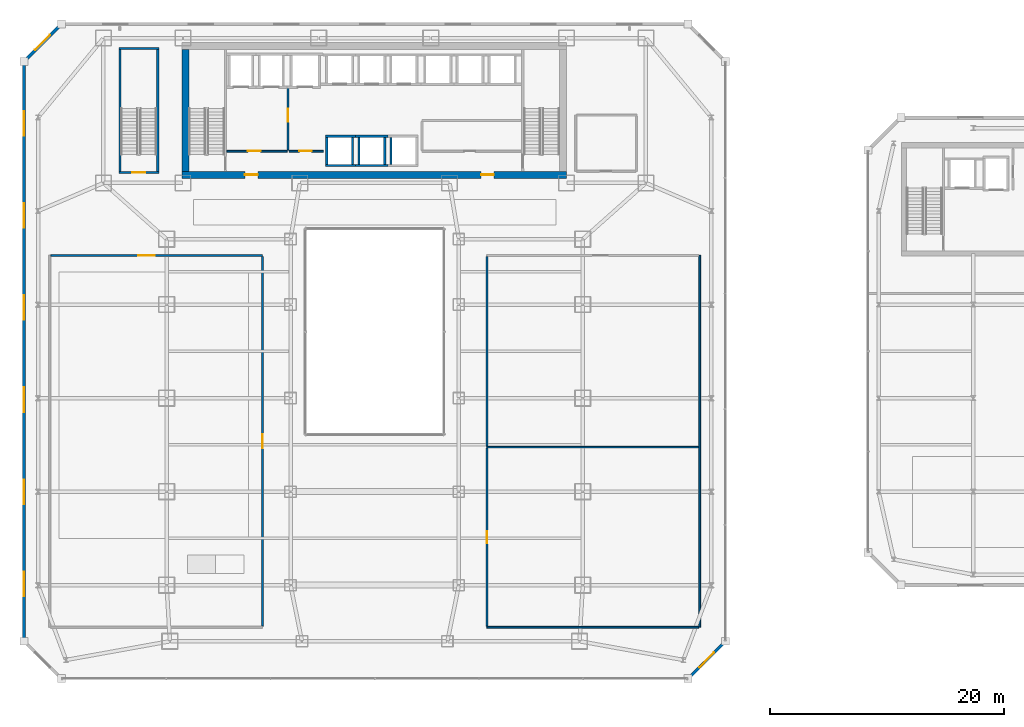
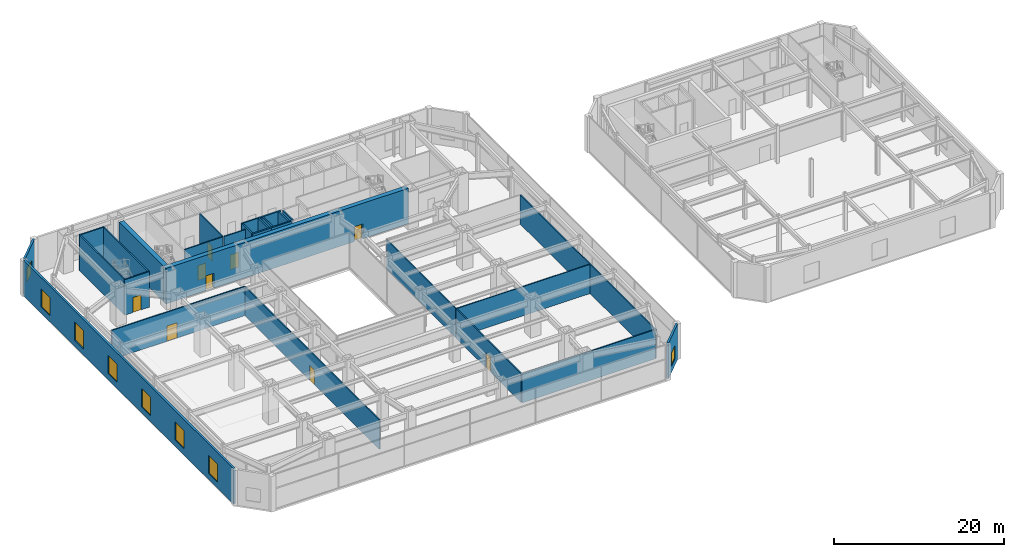
# One storey, part 39 of 51: 28 walls, 9 doors, 8 windows, 17 openings.
"""IFC4 building model written with IfcOpenShell, lengths in metres."""

import ifcopenshell
import ifcopenshell.guid

model = None  # the IFC model being written
_history = None  # IfcOwnerHistory: only IFC2X3 demands one
_inside = {}  # id of a spatial element -> (the spatial element, [elements in it])
_under = {}  # id of a project, library or spatial element -> (it, [spatial elements below it])
_declared = {}  # id of a project -> (the project, [libraries it declares])
_typed = {}  # id of a type object -> (the type object, [elements of that type])
_made_of = {}  # id of a material, layer set ... -> (it, [elements and type objects made of it])


def new_model(schema):
    """Start an empty IFC model of exactly this schema.

    Asked for "IFC4X3", IfcOpenShell would pick the latest addendum, in which some entities
    have other attributes; the version numbers below select the first issue.
    IFC2X3 requires an IfcOwnerHistory on every rooted entity: one is made here for all.
    """
    global model, _history
    if schema == "IFC4X3":
        model = ifcopenshell.file(schema_version=(4, 3, 0, 0))
    else:
        model = ifcopenshell.file(schema=schema)
    _inside.clear()
    _under.clear()
    _declared.clear()
    _typed.clear()
    _made_of.clear()
    _history = None
    if model.schema == "IFC2X3":
        org = make("IfcOrganization", Name="unknown")
        user = make(
            "IfcPersonAndOrganization",
            ThePerson=make("IfcPerson", FamilyName="unknown"),
            TheOrganization=org,
        )
        app = make(
            "IfcApplication",
            ApplicationDeveloper=org,
            Version="unknown",
            ApplicationFullName="unknown",
            ApplicationIdentifier="unknown",
        )
        _history = make(
            "IfcOwnerHistory",
            OwningUser=user,
            OwningApplication=app,
            ChangeAction="ADDED",
            CreationDate=0,
        )
    return model


def make(cls, **values):
    """One entity of the class cls with the attributes given. An attribute that is None is left unset."""
    return model.create_entity(
        cls, **{name: value for name, value in values.items() if value is not None}
    )


def rooted(cls, **values):
    """An entity with a GlobalId (a new one), such as an element, a storey or a relation."""
    return make(cls, GlobalId=ifcopenshell.guid.new(), OwnerHistory=_history, **values)


def si_unit(unit_type, name, prefix=None):
    """IfcSIUnit, for example si_unit("LENGTHUNIT", "METRE", prefix="MILLI")."""
    return make("IfcSIUnit", UnitType=unit_type, Prefix=prefix, Name=name)


def assignment(units):
    """IfcUnitAssignment: the units of a project."""
    return None if units is None else make("IfcUnitAssignment", Units=units)


def point(xyz):
    """IfcCartesianPoint."""
    return None if xyz is None else make("IfcCartesianPoint", Coordinates=xyz)


def direction(xyz):
    """IfcDirection."""
    return None if xyz is None else make("IfcDirection", DirectionRatios=xyz)


def frame(location, z_axis=None, x_axis=None):
    """IfcAxis2Placement3D, a coordinate frame: its origin and axes. An axis left out is left unset."""
    return make(
        "IfcAxis2Placement3D",
        Location=point(location),
        Axis=direction(z_axis),
        RefDirection=direction(x_axis),
    )


def frame_2d(location, x_axis=None):
    """IfcAxis2Placement2D, a coordinate frame in the plane: its origin and x axis."""
    return make(
        "IfcAxis2Placement2D", Location=point(location), RefDirection=direction(x_axis)
    )


def origin():
    """The frame at (0, 0, 0) with its axes left unset."""
    return frame((0.0, 0.0, 0.0))


def place(relative_to, where):
    """IfcLocalPlacement: puts the frame where relative to a parent placement (None: the world)."""
    return make(
        "IfcLocalPlacement", PlacementRelTo=relative_to, RelativePlacement=where
    )


def context(
    kind, dimensions, precision=None, world=None, true_north=None, identifier=None
):
    """IfcGeometricRepresentationContext, for example the 3D "Model" context."""
    return make(
        "IfcGeometricRepresentationContext",
        ContextIdentifier=identifier,
        ContextType=kind,
        CoordinateSpaceDimension=dimensions,
        Precision=precision,
        WorldCoordinateSystem=world,
        TrueNorth=true_north,
    )


def subcontext(parent, identifier, kind, view, scale=None):
    """IfcGeometricRepresentationSubContext, for example "Body" below "Model"."""
    return make(
        "IfcGeometricRepresentationSubContext",
        ContextIdentifier=identifier,
        ContextType=kind,
        ParentContext=parent,
        TargetScale=scale,
        TargetView=view,
    )


def project(units=None, contexts=None):
    """IfcProject with its units and contexts."""
    return rooted(
        "IfcProject",
        Name="project",
        RepresentationContexts=contexts,
        UnitsInContext=assignment(units),
    )


def spatial(cls, under=None, at=None, **own):
    """A site, building, storey or space (cls), placed at a placement, below another one or the project."""
    s = rooted(cls, ObjectPlacement=at, **own)
    if under is not None:
        _under.setdefault(under.id(), (under, []))[1].append(s)
    return s


def profile(cls, at=None, kind="AREA", **sizes):
    """A parametric profile (cls). Its sizes go by their IFC names, for example OverallWidth=200.0."""
    return make(cls, ProfileType=kind, Position=at, **sizes)


def rectangle(**sizes):
    """IfcRectangleProfileDef."""
    return profile("IfcRectangleProfileDef", **sizes)


def extrude(swept, where, along, depth):
    """IfcExtrudedAreaSolid: the profile swept, set in the frame where, extruded along a direction by depth."""
    return make(
        "IfcExtrudedAreaSolid",
        SweptArea=swept,
        Position=where,
        ExtrudedDirection=direction(along),
        Depth=depth,
    )


def shape(context_of_items, identifier, shape_type, items):
    """IfcShapeRepresentation: the items that make up one representation, for example the "Body"."""
    return make(
        "IfcShapeRepresentation",
        ContextOfItems=context_of_items,
        RepresentationIdentifier=identifier,
        RepresentationType=shape_type,
        Items=items,
    )


def material(Name=None, Category=None):
    """IfcMaterial."""
    return make("IfcMaterial", Name=Name, Category=Category)


def layer(
    of_material, thickness, ventilated=None, Name=None, Category=None, Priority=None
):
    """IfcMaterialLayer: one layer of a wall or slab, of a material (None: an air gap)."""
    return make(
        "IfcMaterialLayer",
        Material=of_material,
        LayerThickness=thickness,
        IsVentilated=ventilated,
        Name=Name,
        Category=Category,
        Priority=Priority,
    )


def layer_set(layers, Name=None):
    """IfcMaterialLayerSet."""
    return make("IfcMaterialLayerSet", MaterialLayers=layers, LayerSetName=Name)


def made_of(thing, what):
    """Note that an element or type object is made of a material, layer set ...; save() writes the relation."""
    if what is not None:
        _made_of.setdefault(what.id(), (what, []))[1].append(thing)
    return thing


def type_object(cls, material=None, **own):
    """A type object (cls), such as IfcWallType, which elements share."""
    return made_of(rooted(cls, **own), material)


def element(
    cls,
    number,
    at=None,
    inside=None,
    cuts=None,
    type_object=None,
    material=None,
    context=None,
    identifier="Body",
    shape_type=None,
    held_by="IfcProductDefinitionShape",
    body=None,
    shapes=None,
    **own,
):
    """One element of the class cls, such as IfcWall. Its Tag is "e" and its number.

    at: its placement. inside: the storey or other place that contains it. cuts: it is an
    opening in that element (IfcRelVoidsElement). A single representation is given by context,
    identifier, shape_type and body (its items); several are given by shapes. held_by: the class
    of the entity that holds the representations. save() writes the other relations.
    """
    e = rooted(cls, Tag="e%d" % number, ObjectPlacement=at, **own)
    if body is not None:
        shapes = [shape(context, identifier, shape_type, body)]
    if shapes is not None:
        e.Representation = make(held_by, Representations=shapes)
    if inside is not None:
        _inside.setdefault(inside.id(), (inside, []))[1].append(e)
    if cuts is not None:
        rooted(
            "IfcRelVoidsElement", RelatingBuildingElement=cuts, RelatedOpeningElement=e
        )
    if type_object is not None:
        _typed.setdefault(type_object.id(), (type_object, []))[1].append(e)
    return made_of(e, material)


def fill(opening, filler):
    """IfcRelFillsElement: the door or window that sits in an opening."""
    return rooted(
        "IfcRelFillsElement",
        RelatingOpeningElement=opening,
        RelatedBuildingElement=filler,
    )


def aggregate(whole, parts):
    """IfcRelAggregates: a whole, such as a stair, and the parts it consists of."""
    return rooted("IfcRelAggregates", RelatingObject=whole, RelatedObjects=parts)


def save(model, path):
    """Write the relations noted so far, then the file.

    IfcRelAggregates (storeys below a building ...), IfcRelContainedInSpatialStructure (elements
    in a storey), IfcRelDefinesByType, IfcRelAssociatesMaterial and IfcRelDeclares: one each for
    every whole, place, type object, material and project.
    """
    for whole, parts in _under.values():
        aggregate(whole, parts)
    for where, things in _inside.values():
        rooted(
            "IfcRelContainedInSpatialStructure",
            RelatedElements=things,
            RelatingStructure=where,
        )
    for kind, things in _typed.values():
        rooted("IfcRelDefinesByType", RelatedObjects=things, RelatingType=kind)
    for what, things in _made_of.values():
        rooted("IfcRelAssociatesMaterial", RelatedObjects=things, RelatingMaterial=what)
    for by, libraries in _declared.values():
        rooted("IfcRelDeclares", RelatingContext=by, RelatedDefinitions=libraries)
    model.write(path)


model = new_model("IFC4")

# Units and contexts
model_context = context("Model", 3, precision=1e-05, world=origin(), true_north=direction((0.0, 1.0)))
body_context = subcontext(model_context, "Body", "Model", "MODEL_VIEW")
ifc_project = project(units=[si_unit("LENGTHUNIT", "METRE"), si_unit("AREAUNIT", "SQUARE_METRE"), si_unit("VOLUMEUNIT", "CUBIC_METRE"), si_unit("PLANEANGLEUNIT", "RADIAN"), si_unit("MASSUNIT", "GRAM", prefix="KILO")], contexts=[model_context])

# Site, building, storey
site_placement = place(None, origin())
site = spatial("IfcSite", under=ifc_project, at=site_placement, CompositionType="ELEMENT")
building_placement = place(site_placement, origin())
building = spatial("IfcBuilding", under=site, at=building_placement, Name="Saevonmaru Cultural Tower", CompositionType="ELEMENT")
storey_placement = place(building_placement, frame((0.0, 0.0, 6.0)))
storey = spatial("IfcBuildingStorey", under=building, at=storey_placement, Name="L01", CompositionType="ELEMENT", Elevation=6.0)

# Wall, openings, doors
ifc_material_1 = material(Name="Concrete C60/75", Category="concrete")
ifc_layer_1 = layer(ifc_material_1, 0.60009765625, Name="Concrete C60/75")
ifc_layer_set_1 = layer_set([ifc_layer_1], Name="Concrete C60/75")
wall_type_1 = type_object("IfcWallType", Name="WL-CORE-600", PredefinedType="SHEAR", material=ifc_layer_set_1)
wall_1_placement = place(storey_placement, frame((13.5, 43.10009765625, 0.0), z_axis=(0.0, 0.0, 1.0), x_axis=(1.0, 0.0, 0.0)))
wall_1 = element("IfcWall", 1, at=wall_1_placement, inside=storey, type_object=wall_type_1, Name="L01 Tower RC core shear wall S", PredefinedType="SHEAR", context=body_context, shape_type="SweptSolid", body=[
    extrude(rectangle(XDim=32.89990234375, YDim=0.60009765625, at=frame_2d((16.449951171875, 0.0))), origin(), (0.0, 0.0, 1.0), 5.10009765625),
])
opening_1_placement = place(wall_1_placement, frame((5.39990234375, 0.0, 0.0)))
opening_1 = element("IfcOpeningElement", 2, at=opening_1_placement, cuts=wall_1, Name="Opening FD-2", PredefinedType="OPENING", context=body_context, shape_type="SweptSolid", body=[
    extrude(rectangle(XDim=1.10009765625, YDim=2.14990234375, at=frame_2d((0.550048828125, 1.074951171875))), frame((0.0, 0.31005859375, 0.0), z_axis=(0.0, -1.0, 0.0), x_axis=(1.0, 0.0, 0.0)), (0.0, 0.0, 1.0), 0.6201171875),
])
opening_2_placement = place(wall_1_placement, frame((25.60009765625, 0.0, 0.0)))
opening_2 = element("IfcOpeningElement", 3, at=opening_2_placement, cuts=wall_1, Name="Opening FD-2", PredefinedType="OPENING", context=body_context, shape_type="SweptSolid", body=[
    extrude(rectangle(XDim=1.10009765625, YDim=2.14990234375, at=frame_2d((0.550048828125, 1.074951171875))), frame((0.0, 0.31005859375, 0.0), z_axis=(0.0, -1.0, 0.0), x_axis=(1.0, 0.0, 0.0)), (0.0, 0.0, 1.0), 0.6201171875),
])
ifc_material_2 = material(Name="Satin Bronze Anodised Aluminium", Category="aluminium")
door_type_1 = type_object("IfcDoorType", Name="DR-FD60-1100", OperationType="SINGLE_SWING_LEFT", PredefinedType="DOOR", material=ifc_material_2)
door_1_placement = place(opening_1_placement, origin())
door_1 = element("IfcDoor", 4, at=door_1_placement, inside=storey, type_object=door_type_1, Name="L01 Core West Lobby Fire Door", OperationType="SINGLE_SWING_LEFT", OverallHeight=2.14990234375, OverallWidth=1.10009765625, PredefinedType="DOOR", context=body_context, shape_type="SweptSolid", body=[
    extrude(rectangle(XDim=1.10009765625, YDim=2.14990234375, at=frame_2d((0.550048828125, 1.074951171875))), frame((0.0, 0.02490234375, 0.0), z_axis=(0.0, -1.0, 0.0), x_axis=(1.0, 0.0, 0.0)), (0.0, 0.0, 1.0), 0.050048828125),
])
fill(opening_1, door_1)
door_2_placement = place(opening_2_placement, origin())
door_2 = element("IfcDoor", 5, at=door_2_placement, inside=storey, type_object=door_type_1, Name="L01 Core East Lobby Fire Door", OperationType="SINGLE_SWING_LEFT", OverallHeight=2.14990234375, OverallWidth=1.10009765625, PredefinedType="DOOR", context=body_context, shape_type="SweptSolid", body=[
    extrude(rectangle(XDim=1.10009765625, YDim=2.14990234375, at=frame_2d((0.550048828125, 1.074951171875))), frame((0.0, 0.02490234375, 0.0), z_axis=(0.0, -1.0, 0.0), x_axis=(1.0, 0.0, 0.0)), (0.0, 0.0, 1.0), 0.050048828125),
])
fill(opening_2, door_2)

# Wall
wall_2_placement = place(storey_placement, frame((13.800048828125, 43.39990234375, 0.0), z_axis=(0.0, 0.0, 1.0), x_axis=(0.0, 1.0, 0.0)))
element("IfcWall", 6, at=wall_2_placement, inside=storey, type_object=wall_type_1, Name="L01 Tower RC core shear wall W", PredefinedType="SHEAR", context=body_context, shape_type="SweptSolid", body=[
    extrude(rectangle(XDim=10.400146484375, YDim=0.60009765625, at=frame_2d((5.2001953125, 0.0))), origin(), (0.0, 0.0, 1.0), 5.10009765625),
])

# Wall, opening, door
ifc_material_3 = material(Name="Gypsum Fireboard Partition", Category="gypsum")
ifc_layer_2 = layer(ifc_material_3, 0.14990234375, Name="Gypsum Fireboard Partition")
ifc_layer_set_2 = layer_set([ifc_layer_2], Name="Gypsum Fireboard Partition")
wall_type_2 = type_object("IfcWallType", Name="WL-CORE-PART-150", PredefinedType="PARTITIONING", material=ifc_layer_set_2)
wall_3_placement = place(storey_placement, frame((17.360107421875, 45.1201171875, 0.0), z_axis=(0.0, 0.0, 1.0), x_axis=(1.0, 0.0, 0.0)))
wall_3 = element("IfcWall", 7, at=wall_3_placement, inside=storey, type_object=wall_type_2, Name="L01 Firefighting Lift Lobby South Wall", PredefinedType="PARTITIONING", context=body_context, shape_type="SweptSolid", body=[
    extrude(rectangle(XDim=5.139892578125, YDim=0.14990234375, at=frame_2d((2.56982421875, 0.0))), origin(), (0.0, 0.0, 1.0), 5.10009765625),
])
opening_3_placement = place(wall_3_placement, frame((1.800048828125, 0.0, 0.0)))
opening_3 = element("IfcOpeningElement", 8, at=opening_3_placement, cuts=wall_3, Name="Opening FD-2", PredefinedType="OPENING", context=body_context, shape_type="SweptSolid", body=[
    extrude(rectangle(XDim=1.10009765625, YDim=2.14990234375, at=frame_2d((0.550048828125, 1.074951171875))), frame((0.0, 0.0849609375, 0.0), z_axis=(0.0, -1.0, 0.0), x_axis=(1.0, 0.0, 0.0)), (0.0, 0.0, 1.0), 0.169921875),
])
door_3_placement = place(opening_3_placement, origin())
door_3 = element("IfcDoor", 9, at=door_3_placement, inside=storey, type_object=door_type_1, Name="L01 Firefighting Lift Lobby South Door", OperationType="SINGLE_SWING_LEFT", OverallHeight=2.14990234375, OverallWidth=1.10009765625, PredefinedType="DOOR", context=body_context, shape_type="SweptSolid", body=[
    extrude(rectangle(XDim=1.10009765625, YDim=2.14990234375, at=frame_2d((0.550048828125, 1.074951171875))), frame((0.0, 0.02490234375, 0.0), z_axis=(0.0, -1.0, 0.0), x_axis=(1.0, 0.0, 0.0)), (0.0, 0.0, 1.0), 0.050048828125),
])
fill(opening_3, door_3)

wall_4_placement = place(storey_placement, frame((22.580078125, 50.550048828125, 0.0), z_axis=(0.0, 0.0, 1.0), x_axis=(0.0, -1.0, 0.0)))
wall_4 = element("IfcWall", 10, at=wall_4_placement, inside=storey, type_object=wall_type_2, Name="L01 Firefighting Lift Lobby East Wall", PredefinedType="PARTITIONING", context=body_context, shape_type="SweptSolid", body=[
    extrude(rectangle(XDim=5.330078125, YDim=0.14990234375, at=frame_2d((2.6650390625, 0.0))), origin(), (0.0, 0.0, 1.0), 5.10009765625),
])
opening_4_placement = place(wall_4_placement, frame((1.800048828125, 0.0, 0.0)))
opening_4 = element("IfcOpeningElement", 11, at=opening_4_placement, cuts=wall_4, Name="Opening FD-2", PredefinedType="OPENING", context=body_context, shape_type="SweptSolid", body=[
    extrude(rectangle(XDim=1.10009765625, YDim=2.14990234375, at=frame_2d((0.550048828125, 1.074951171875))), frame((0.0, 0.0849609375, 0.0), z_axis=(0.0, -1.0, 0.0), x_axis=(1.0, 0.0, 0.0)), (0.0, 0.0, 1.0), 0.169921875),
])
door_4_placement = place(opening_4_placement, origin())
door_4 = element("IfcDoor", 12, at=door_4_placement, inside=storey, type_object=door_type_1, Name="L01 Firefighting Lift Lobby East Door", OperationType="SINGLE_SWING_LEFT", OverallHeight=2.14990234375, OverallWidth=1.10009765625, PredefinedType="DOOR", context=body_context, shape_type="SweptSolid", body=[
    extrude(rectangle(XDim=1.10009765625, YDim=2.14990234375, at=frame_2d((0.550048828125, 1.074951171875))), frame((0.0, 0.02490234375, 0.0), z_axis=(0.0, -1.0, 0.0), x_axis=(1.0, 0.0, 0.0)), (0.0, 0.0, 1.0), 0.050048828125),
])
fill(opening_4, door_4)

wall_5_placement = place(storey_placement, frame((22.679931640625, 45.1201171875, 0.0), z_axis=(0.0, 0.0, 1.0), x_axis=(1.0, 0.0, 0.0)))
wall_5 = element("IfcWall", 13, at=wall_5_placement, inside=storey, type_object=wall_type_2, Name="L01 Service Lift Vestibule Wall", PredefinedType="PARTITIONING", context=body_context, shape_type="SweptSolid", body=[
    extrude(rectangle(XDim=2.920166015625, YDim=0.14990234375, at=frame_2d((1.4599609375, 0.0))), origin(), (0.0, 0.0, 1.0), 5.10009765625),
])
opening_5_placement = place(wall_5_placement, frame((0.85009765625, 0.0, 0.0)))
opening_5 = element("IfcOpeningElement", 14, at=opening_5_placement, cuts=wall_5, Name="Opening FD-2", PredefinedType="OPENING", context=body_context, shape_type="SweptSolid", body=[
    extrude(rectangle(XDim=1.10009765625, YDim=2.14990234375, at=frame_2d((0.550048828125, 1.074951171875))), frame((0.0, 0.0849609375, 0.0), z_axis=(0.0, -1.0, 0.0), x_axis=(1.0, 0.0, 0.0)), (0.0, 0.0, 1.0), 0.169921875),
])
door_5_placement = place(opening_5_placement, origin())
door_5 = element("IfcDoor", 15, at=door_5_placement, inside=storey, type_object=door_type_1, Name="L01 Service Lift Vestibule Door", OperationType="SINGLE_SWING_LEFT", OverallHeight=2.14990234375, OverallWidth=1.10009765625, PredefinedType="DOOR", context=body_context, shape_type="SweptSolid", body=[
    extrude(rectangle(XDim=1.10009765625, YDim=2.14990234375, at=frame_2d((0.550048828125, 1.074951171875))), frame((0.0, 0.02490234375, 0.0), z_axis=(0.0, -1.0, 0.0), x_axis=(1.0, 0.0, 0.0)), (0.0, 0.0, 1.0), 0.050048828125),
])
fill(opening_5, door_5)

# Wall, opening, window
ifc_material_4 = material(Name="Granite-Clad Precast Concrete C40/50", Category="masonry")
ifc_layer_3 = layer(ifc_material_4, 0.260009765625, Name="Granite-Clad Precast Concrete C40/50")
ifc_layer_set_3 = layer_set([ifc_layer_3], Name="Granite-Clad Precast Concrete C40/50")
wall_type_3 = type_object("IfcWallType", Name="WL-EXT-SPANDREL-260", PredefinedType="STANDARD", material=ifc_layer_set_3)
wall_6_placement = place(storey_placement, frame((56.9130859375, 0.113037109375, 0.0), z_axis=(0.0, 0.0, 1.0), x_axis=(0.707106781187, 0.707106781187, 0.0)))
wall_6 = element("IfcWall", 16, at=wall_6_placement, inside=storey, type_object=wall_type_3, Name="L01 Podium Bronze-Granite Exterior Wall E3", PredefinedType="STANDARD", context=body_context, shape_type="SweptSolid", body=[
    extrude(rectangle(XDim=4.205810546875, YDim=0.260009765625, at=frame_2d((2.10302734375, 0.0))), origin(), (0.0, 0.0, 1.0), 5.10009765625),
])
opening_6_placement = place(wall_6_placement, frame((1.202880859375, 0.0, 0.89990234375)))
opening_6 = element("IfcOpeningElement", 17, at=opening_6_placement, cuts=wall_6, Name="Opening W-2", PredefinedType="OPENING", context=body_context, shape_type="SweptSolid", body=[
    extrude(rectangle(XDim=1.800048828125, YDim=1.89990234375, at=frame_2d((0.89990234375, 0.949951171875))), frame((0.0, 0.14013671875, 0.0), z_axis=(0.0, -1.0, 0.0), x_axis=(1.0, 0.0, 0.0)), (0.0, 0.0, 1.0), 0.280029296875),
])
window_type_1 = type_object("IfcWindowType", Name="WN-DECO-1800x1900", PartitioningType="SINGLE_PANEL", PredefinedType="WINDOW", material=ifc_material_2)
window_1_placement = place(opening_6_placement, origin())
window_1 = element("IfcWindow", 18, at=window_1_placement, inside=storey, type_object=window_type_1, Name="L01 Chamfer Bay Window E3", OverallHeight=1.89990234375, OverallWidth=1.800048828125, PartitioningType="SINGLE_PANEL", PredefinedType="WINDOW", context=body_context, shape_type="SweptSolid", body=[
    extrude(rectangle(XDim=1.800048828125, YDim=1.89990234375, at=frame_2d((0.89990234375, 0.949951171875))), frame((0.0, 0.030029296875, 0.0), z_axis=(0.0, -1.0, 0.0), x_axis=(1.0, 0.0, 0.0)), (0.0, 0.0, 1.0), 0.06005859375),
])
fill(opening_6, window_1)

wall_7_placement = place(storey_placement, frame((3.0869140625, 55.886962890625, 0.0), z_axis=(0.0, 0.0, 1.0), x_axis=(-0.707106781187, -0.707106781187, 0.0)))
wall_7 = element("IfcWall", 19, at=wall_7_placement, inside=storey, type_object=wall_type_3, Name="L01 Podium Bronze-Granite Exterior Wall E7", PredefinedType="STANDARD", context=body_context, shape_type="SweptSolid", body=[
    extrude(rectangle(XDim=4.205810546875, YDim=0.260009765625, at=frame_2d((2.10302734375, 0.0))), origin(), (0.0, 0.0, 1.0), 5.10009765625),
])
opening_7_placement = place(wall_7_placement, frame((1.202880859375, 0.0, 0.89990234375)))
opening_7 = element("IfcOpeningElement", 20, at=opening_7_placement, cuts=wall_7, Name="Opening W-2", PredefinedType="OPENING", context=body_context, shape_type="SweptSolid", body=[
    extrude(rectangle(XDim=1.800048828125, YDim=1.89990234375, at=frame_2d((0.89990234375, 0.949951171875))), frame((0.0, 0.14013671875, 0.0), z_axis=(0.0, -1.0, 0.0), x_axis=(1.0, 0.0, 0.0)), (0.0, 0.0, 1.0), 0.280029296875),
])
window_2_placement = place(opening_7_placement, origin())
window_2 = element("IfcWindow", 21, at=window_2_placement, inside=storey, type_object=window_type_1, Name="L01 Chamfer Bay Window E7", OverallHeight=1.89990234375, OverallWidth=1.800048828125, PartitioningType="SINGLE_PANEL", PredefinedType="WINDOW", context=body_context, shape_type="SweptSolid", body=[
    extrude(rectangle(XDim=1.800048828125, YDim=1.89990234375, at=frame_2d((0.89990234375, 0.949951171875))), frame((0.0, 0.030029296875, 0.0), z_axis=(0.0, -1.0, 0.0), x_axis=(1.0, 0.0, 0.0)), (0.0, 0.0, 1.0), 0.06005859375),
])
fill(opening_7, window_2)

# Wall, openings, windows
ifc_layer_4 = layer(ifc_material_4, 0.280029296875, Name="Granite-Clad Precast Concrete C40/50")
ifc_layer_set_4 = layer_set([ifc_layer_4], Name="Granite-Clad Precast Concrete C40/50")
wall_type_4 = type_object("IfcWallType", Name="WL-EXT-SPANDREL-280", PredefinedType="STANDARD", material=ifc_layer_set_4)
wall_8_placement = place(storey_placement, frame((0.0, 52.639892578125, 0.0), z_axis=(0.0, 0.0, 1.0), x_axis=(0.0, -1.0, 0.0)))
wall_8 = element("IfcWall", 22, at=wall_8_placement, inside=storey, type_object=wall_type_4, Name="L01 Podium Bronze-Granite Exterior Wall E8", PredefinedType="STANDARD", context=body_context, shape_type="SweptSolid", body=[
    extrude(rectangle(XDim=49.27978515625, YDim=0.280029296875, at=frame_2d((24.639892578125, 0.0))), origin(), (0.0, 0.0, 1.0), 5.10009765625),
])
opening_8_placement = place(wall_8_placement, frame((4.090087890625, 0.0, 0.89990234375)))
opening_8 = element("IfcOpeningElement", 23, at=opening_8_placement, cuts=wall_8, Name="Opening W-1B", PredefinedType="OPENING", context=body_context, shape_type="SweptSolid", body=[
    extrude(rectangle(XDim=2.10009765625, YDim=2.60009765625, at=frame_2d((1.050048828125, 1.300048828125))), frame((0.0, 0.14990234375, 0.0), z_axis=(0.0, -1.0, 0.0), x_axis=(1.0, 0.0, 0.0)), (0.0, 0.0, 1.0), 0.300048828125),
])
opening_9_placement = place(wall_8_placement, frame((11.969970703125, 0.0, 0.89990234375)))
opening_9 = element("IfcOpeningElement", 24, at=opening_9_placement, cuts=wall_8, Name="Opening W-1B", PredefinedType="OPENING", context=body_context, shape_type="SweptSolid", body=[
    extrude(rectangle(XDim=2.10009765625, YDim=2.60009765625, at=frame_2d((1.050048828125, 1.300048828125))), frame((0.0, 0.14990234375, 0.0), z_axis=(0.0, -1.0, 0.0), x_axis=(1.0, 0.0, 0.0)), (0.0, 0.0, 1.0), 0.300048828125),
])
opening_10_placement = place(wall_8_placement, frame((19.85009765625, 0.0, 0.89990234375)))
opening_10 = element("IfcOpeningElement", 25, at=opening_10_placement, cuts=wall_8, Name="Opening W-1B", PredefinedType="OPENING", context=body_context, shape_type="SweptSolid", body=[
    extrude(rectangle(XDim=2.10009765625, YDim=2.60009765625, at=frame_2d((1.050048828125, 1.300048828125))), frame((0.0, 0.14990234375, 0.0), z_axis=(0.0, -1.0, 0.0), x_axis=(1.0, 0.0, 0.0)), (0.0, 0.0, 1.0), 0.300048828125),
])
opening_11_placement = place(wall_8_placement, frame((27.72998046875, 0.0, 0.89990234375)))
opening_11 = element("IfcOpeningElement", 26, at=opening_11_placement, cuts=wall_8, Name="Opening W-1B", PredefinedType="OPENING", context=body_context, shape_type="SweptSolid", body=[
    extrude(rectangle(XDim=2.10009765625, YDim=2.60009765625, at=frame_2d((1.050048828125, 1.300048828125))), frame((0.0, 0.14990234375, 0.0), z_axis=(0.0, -1.0, 0.0), x_axis=(1.0, 0.0, 0.0)), (0.0, 0.0, 1.0), 0.300048828125),
])
opening_12_placement = place(wall_8_placement, frame((35.610107421875, 0.0, 0.89990234375)))
opening_12 = element("IfcOpeningElement", 27, at=opening_12_placement, cuts=wall_8, Name="Opening W-1B", PredefinedType="OPENING", context=body_context, shape_type="SweptSolid", body=[
    extrude(rectangle(XDim=2.10009765625, YDim=2.60009765625, at=frame_2d((1.050048828125, 1.300048828125))), frame((0.0, 0.14990234375, 0.0), z_axis=(0.0, -1.0, 0.0), x_axis=(1.0, 0.0, 0.0)), (0.0, 0.0, 1.0), 0.300048828125),
])
opening_13_placement = place(wall_8_placement, frame((43.489990234375, 0.0, 0.89990234375)))
opening_13 = element("IfcOpeningElement", 28, at=opening_13_placement, cuts=wall_8, Name="Opening W-1B", PredefinedType="OPENING", context=body_context, shape_type="SweptSolid", body=[
    extrude(rectangle(XDim=2.10009765625, YDim=2.60009765625, at=frame_2d((1.050048828125, 1.300048828125))), frame((0.0, 0.14990234375, 0.0), z_axis=(0.0, -1.0, 0.0), x_axis=(1.0, 0.0, 0.0)), (0.0, 0.0, 1.0), 0.300048828125),
])
window_type_2 = type_object("IfcWindowType", Name="WN-DECO-2100x2600", PartitioningType="DOUBLE_PANEL_VERTICAL", PredefinedType="WINDOW", material=ifc_material_2)
window_3_placement = place(opening_8_placement, origin())
window_3 = element("IfcWindow", 29, at=window_3_placement, inside=storey, type_object=window_type_2, Name="L01 Art Deco Bronze Window E8-1", OverallHeight=2.60009765625, OverallWidth=2.10009765625, PartitioningType="DOUBLE_PANEL_VERTICAL", PredefinedType="WINDOW", context=body_context, shape_type="SweptSolid", body=[
    extrude(rectangle(XDim=2.10009765625, YDim=2.60009765625, at=frame_2d((1.050048828125, 1.300048828125))), frame((0.0, 0.030029296875, 0.0), z_axis=(0.0, -1.0, 0.0), x_axis=(1.0, 0.0, 0.0)), (0.0, 0.0, 1.0), 0.06005859375),
])
fill(opening_8, window_3)
window_4_placement = place(opening_9_placement, origin())
window_4 = element("IfcWindow", 30, at=window_4_placement, inside=storey, type_object=window_type_2, Name="L01 Art Deco Bronze Window E8-2", OverallHeight=2.60009765625, OverallWidth=2.10009765625, PartitioningType="DOUBLE_PANEL_VERTICAL", PredefinedType="WINDOW", context=body_context, shape_type="SweptSolid", body=[
    extrude(rectangle(XDim=2.10009765625, YDim=2.60009765625, at=frame_2d((1.050048828125, 1.300048828125))), frame((0.0, 0.030029296875, 0.0), z_axis=(0.0, -1.0, 0.0), x_axis=(1.0, 0.0, 0.0)), (0.0, 0.0, 1.0), 0.06005859375),
])
fill(opening_9, window_4)
window_5_placement = place(opening_10_placement, origin())
window_5 = element("IfcWindow", 31, at=window_5_placement, inside=storey, type_object=window_type_2, Name="L01 Art Deco Bronze Window E8-3", OverallHeight=2.60009765625, OverallWidth=2.10009765625, PartitioningType="DOUBLE_PANEL_VERTICAL", PredefinedType="WINDOW", context=body_context, shape_type="SweptSolid", body=[
    extrude(rectangle(XDim=2.10009765625, YDim=2.60009765625, at=frame_2d((1.050048828125, 1.300048828125))), frame((0.0, 0.030029296875, 0.0), z_axis=(0.0, -1.0, 0.0), x_axis=(1.0, 0.0, 0.0)), (0.0, 0.0, 1.0), 0.06005859375),
])
fill(opening_10, window_5)
window_6_placement = place(opening_11_placement, origin())
window_6 = element("IfcWindow", 32, at=window_6_placement, inside=storey, type_object=window_type_2, Name="L01 Art Deco Bronze Window E8-4", OverallHeight=2.60009765625, OverallWidth=2.10009765625, PartitioningType="DOUBLE_PANEL_VERTICAL", PredefinedType="WINDOW", context=body_context, shape_type="SweptSolid", body=[
    extrude(rectangle(XDim=2.10009765625, YDim=2.60009765625, at=frame_2d((1.050048828125, 1.300048828125))), frame((0.0, 0.030029296875, 0.0), z_axis=(0.0, -1.0, 0.0), x_axis=(1.0, 0.0, 0.0)), (0.0, 0.0, 1.0), 0.06005859375),
])
fill(opening_11, window_6)
window_7_placement = place(opening_12_placement, origin())
window_7 = element("IfcWindow", 33, at=window_7_placement, inside=storey, type_object=window_type_2, Name="L01 Art Deco Bronze Window E8-5", OverallHeight=2.60009765625, OverallWidth=2.10009765625, PartitioningType="DOUBLE_PANEL_VERTICAL", PredefinedType="WINDOW", context=body_context, shape_type="SweptSolid", body=[
    extrude(rectangle(XDim=2.10009765625, YDim=2.60009765625, at=frame_2d((1.050048828125, 1.300048828125))), frame((0.0, 0.030029296875, 0.0), z_axis=(0.0, -1.0, 0.0), x_axis=(1.0, 0.0, 0.0)), (0.0, 0.0, 1.0), 0.06005859375),
])
fill(opening_12, window_7)
window_8_placement = place(opening_13_placement, origin())
window_8 = element("IfcWindow", 34, at=window_8_placement, inside=storey, type_object=window_type_2, Name="L01 Art Deco Bronze Window E8-6", OverallHeight=2.60009765625, OverallWidth=2.10009765625, PartitioningType="DOUBLE_PANEL_VERTICAL", PredefinedType="WINDOW", context=body_context, shape_type="SweptSolid", body=[
    extrude(rectangle(XDim=2.10009765625, YDim=2.60009765625, at=frame_2d((1.050048828125, 1.300048828125))), frame((0.0, 0.030029296875, 0.0), z_axis=(0.0, -1.0, 0.0), x_axis=(1.0, 0.0, 0.0)), (0.0, 0.0, 1.0), 0.06005859375),
])
fill(opening_13, window_8)

# Wall, opening, door
ifc_layer_5 = layer(ifc_material_3, 0.14990234375, Name="Gypsum Fireboard Partition")
ifc_layer_set_5 = layer_set([ifc_layer_5], Name="Gypsum Fireboard Partition")
wall_type_5 = type_object("IfcWallType", Name="WL-PART-FIRE-150", PredefinedType="PARTITIONING", material=ifc_layer_set_5)
wall_9_placement = place(storey_placement, frame((2.294921875, 36.199951171875, 0.0), z_axis=(0.0, 0.0, 1.0), x_axis=(1.0, 0.0, 0.0)))
wall_9 = element("IfcWall", 35, at=wall_9_placement, inside=storey, type_object=wall_type_5, Name="L01 Chamber Recital Auditorium North Wall", PredefinedType="PARTITIONING", context=body_context, shape_type="SweptSolid", body=[
    extrude(rectangle(XDim=18.10498046875, YDim=0.14990234375, at=frame_2d((9.052490234375, 0.0))), origin(), (0.0, 0.0, 1.0), 4.18505859375),
])
opening_14_placement = place(wall_9_placement, frame((7.471923828125, 0.0, 0.0)))
opening_14 = element("IfcOpeningElement", 36, at=opening_14_placement, cuts=wall_9, Name="Opening FD-0", PredefinedType="OPENING", context=body_context, shape_type="SweptSolid", body=[
    extrude(rectangle(XDim=1.39990234375, YDim=2.199951171875, at=frame_2d((0.699951171875, 1.10009765625))), frame((0.0, 0.0849609375, 0.0), z_axis=(0.0, -1.0, 0.0), x_axis=(1.0, 0.0, 0.0)), (0.0, 0.0, 1.0), 0.169921875),
])
door_type_2 = type_object("IfcDoorType", Name="DR-FD60-1400", OperationType="DOUBLE_DOOR_SINGLE_SWING", PredefinedType="DOOR", material=ifc_material_2)
door_6_placement = place(opening_14_placement, origin())
door_6 = element("IfcDoor", 37, at=door_6_placement, inside=storey, type_object=door_type_2, Name="L01 Chamber Recital Auditorium Main Door", OperationType="DOUBLE_DOOR_SINGLE_SWING", OverallHeight=2.199951171875, OverallWidth=1.39990234375, PredefinedType="DOOR", context=body_context, shape_type="SweptSolid", body=[
    extrude(rectangle(XDim=1.39990234375, YDim=2.199951171875, at=frame_2d((0.699951171875, 1.10009765625))), frame((0.0, 0.02490234375, 0.0), z_axis=(0.0, -1.0, 0.0), x_axis=(1.0, 0.0, 0.0)), (0.0, 0.0, 1.0), 0.050048828125),
])
fill(opening_14, door_6)

wall_10_placement = place(storey_placement, frame((20.39990234375, 4.4951171875, 0.0), z_axis=(0.0, 0.0, 1.0), x_axis=(0.0, 1.0, 0.0)))
wall_10 = element("IfcWall", 38, at=wall_10_placement, inside=storey, type_object=wall_type_5, Name="L01 Chamber Recital Auditorium East Atrium Wall", PredefinedType="PARTITIONING", context=body_context, shape_type="SweptSolid", body=[
    extrude(rectangle(XDim=31.60986328125, YDim=0.14990234375, at=frame_2d((15.804931640625, 0.0))), origin(), (0.0, 0.0, 1.0), 4.18505859375),
])
opening_15_placement = place(wall_10_placement, frame((15.205078125, 0.0, 0.0)))
opening_15 = element("IfcOpeningElement", 39, at=opening_15_placement, cuts=wall_10, Name="Opening FD-1", PredefinedType="OPENING", context=body_context, shape_type="SweptSolid", body=[
    extrude(rectangle(XDim=1.199951171875, YDim=2.14990234375, at=frame_2d((0.60009765625, 1.074951171875))), frame((0.0, 0.0849609375, 0.0), z_axis=(0.0, -1.0, 0.0), x_axis=(1.0, 0.0, 0.0)), (0.0, 0.0, 1.0), 0.169921875),
])
door_type_3 = type_object("IfcDoorType", Name="DR-FD60-1200", OperationType="DOUBLE_DOOR_SINGLE_SWING", PredefinedType="DOOR", material=ifc_material_2)
door_7_placement = place(opening_15_placement, origin())
door_7 = element("IfcDoor", 40, at=door_7_placement, inside=storey, type_object=door_type_3, Name="L01 Chamber Recital Auditorium Secondary Exit Door", OperationType="DOUBLE_DOOR_SINGLE_SWING", OverallHeight=2.14990234375, OverallWidth=1.199951171875, PredefinedType="DOOR", context=body_context, shape_type="SweptSolid", body=[
    extrude(rectangle(XDim=1.199951171875, YDim=2.14990234375, at=frame_2d((0.60009765625, 1.074951171875))), frame((0.0, 0.02490234375, 0.0), z_axis=(0.0, -1.0, 0.0), x_axis=(1.0, 0.0, 0.0)), (0.0, 0.0, 1.0), 0.050048828125),
])
fill(opening_15, door_7)

# Walls
wall_11_placement = place(storey_placement, frame((57.800048828125, 4.39990234375, 0.0), z_axis=(0.0, 0.0, 1.0), x_axis=(0.0, 1.0, 0.0)))
element("IfcWall", 41, at=wall_11_placement, inside=storey, type_object=wall_type_5, Name="L01 East Gallery Perimeter Wall", PredefinedType="PARTITIONING", context=body_context, shape_type="SweptSolid", body=[
    extrude(rectangle(XDim=31.800048828125, YDim=0.14990234375, at=frame_2d((15.89990234375, 0.0))), origin(), (0.0, 0.0, 1.0), 4.18505859375),
])
wall_12_placement = place(storey_placement, frame((39.60009765625, 4.39990234375, 0.0), z_axis=(0.0, 0.0, 1.0), x_axis=(1.0, 0.0, 0.0)))
element("IfcWall", 42, at=wall_12_placement, inside=storey, type_object=wall_type_5, Name="L01 East Gallery South Wall", PredefinedType="PARTITIONING", context=body_context, shape_type="SweptSolid", body=[
    extrude(rectangle(XDim=18.10498046875, YDim=0.14990234375, at=frame_2d((9.052490234375, 0.0))), origin(), (0.0, 0.0, 1.0), 4.18505859375),
])

# Wall, opening, door
wall_13_placement = place(storey_placement, frame((39.60009765625, 4.4951171875, 0.0), z_axis=(0.0, 0.0, 1.0), x_axis=(0.0, 1.0, 0.0)))
wall_13 = element("IfcWall", 43, at=wall_13_placement, inside=storey, type_object=wall_type_5, Name="L01 East Seminar West Wall", PredefinedType="PARTITIONING", context=body_context, shape_type="SweptSolid", body=[
    extrude(rectangle(XDim=15.21728515625, YDim=0.14990234375, at=frame_2d((7.608642578125, 0.0))), origin(), (0.0, 0.0, 1.0), 4.18505859375),
])
opening_16_placement = place(wall_13_placement, frame((7.083984375, 0.0, 0.0)))
opening_16 = element("IfcOpeningElement", 44, at=opening_16_placement, cuts=wall_13, Name="Opening ID-1", PredefinedType="OPENING", context=body_context, shape_type="SweptSolid", body=[
    extrude(rectangle(XDim=1.050048828125, YDim=2.14990234375, at=frame_2d((0.52490234375, 1.074951171875))), frame((0.0, 0.0849609375, 0.0), z_axis=(0.0, -1.0, 0.0), x_axis=(1.0, 0.0, 0.0)), (0.0, 0.0, 1.0), 0.169921875),
])
door_type_4 = type_object("IfcDoorType", Name="DR-INT-1050", OperationType="SINGLE_SWING_LEFT", PredefinedType="DOOR", material=ifc_material_2)
door_8_placement = place(opening_16_placement, origin())
door_8 = element("IfcDoor", 45, at=door_8_placement, inside=storey, type_object=door_type_4, Name="L01 Lecture Reading Room Door", OperationType="SINGLE_SWING_LEFT", OverallHeight=2.14990234375, OverallWidth=1.050048828125, PredefinedType="DOOR", context=body_context, shape_type="SweptSolid", body=[
    extrude(rectangle(XDim=1.050048828125, YDim=2.14990234375, at=frame_2d((0.52490234375, 1.074951171875))), frame((0.0, 0.02490234375, 0.0), z_axis=(0.0, -1.0, 0.0), x_axis=(1.0, 0.0, 0.0)), (0.0, 0.0, 1.0), 0.050048828125),
])
fill(opening_16, door_8)

# Walls
wall_14_placement = place(storey_placement, frame((39.60009765625, 19.887451171875, 0.0), z_axis=(0.0, 0.0, 1.0), x_axis=(0.0, 1.0, 0.0)))
element("IfcWall", 46, at=wall_14_placement, inside=storey, type_object=wall_type_5, Name="L01 East Gallery Atrium Wall", PredefinedType="PARTITIONING", context=body_context, shape_type="SweptSolid", body=[
    extrude(rectangle(XDim=16.217529296875, YDim=0.14990234375, at=frame_2d((8.10888671875, 0.0))), origin(), (0.0, 0.0, 1.0), 4.18505859375),
])
ifc_layer_6 = layer(ifc_material_3, 0.135009765625, Name="Gypsum Fireboard Partition")
ifc_layer_set_6 = layer_set([ifc_layer_6], Name="Gypsum Fireboard Partition")
wall_type_6 = type_object("IfcWallType", Name="WL-PART-GYP-135", PredefinedType="PARTITIONING", material=ifc_layer_set_6)
wall_15_placement = place(storey_placement, frame((39.60009765625, 19.800048828125, 0.0), z_axis=(0.0, 0.0, 1.0), x_axis=(1.0, 0.0, 0.0)))
element("IfcWall", 47, at=wall_15_placement, inside=storey, type_object=wall_type_6, Name="L01 Gallery-Reading Split", PredefinedType="PARTITIONING", context=body_context, shape_type="SweptSolid", body=[
    extrude(rectangle(XDim=18.10498046875, YDim=0.135009765625, at=frame_2d((9.052490234375, 0.0))), origin(), (0.0, 0.0, 1.0), 4.18505859375),
])
ifc_material_5 = material(Name="Concrete C40/50", Category="concrete")
ifc_layer_7 = layer(ifc_material_5, 0.199951171875, Name="Concrete C40/50")
ifc_layer_set_7 = layer_set([ifc_layer_7], Name="Concrete C40/50")
wall_type_7 = type_object("IfcWallType", Name="WL-SHAFT-200", PredefinedType="SHEAR", material=ifc_layer_set_7)
for number, where, z_axis, x_axis, name in (
    (48, (25.800048828125, 43.89990234375, 0.0), (0.0, 0.0, 1.0), (1.0, 0.0, 0.0), "L01 Lift PL-M1 Hoistway Wall S"),
    (49, (25.800048828125, 46.39990234375, 0.0), (0.0, 0.0, 1.0), (1.0, 0.0, 0.0), "L01 Lift PL-M1 Hoistway Wall N"),
):
    element("IfcWall", number, at=place(storey_placement, frame(where, z_axis=z_axis, x_axis=x_axis)), inside=storey, type_object=wall_type_7, Name=name, PredefinedType="SHEAR", context=body_context, shape_type="SweptSolid", body=[
        extrude(rectangle(XDim=2.574951171875, YDim=0.199951171875, at=frame_2d((1.28759765625, 0.0))), origin(), (0.0, 0.0, 1.0), 5.10009765625),
    ])
for number, where, z_axis, x_axis, name in (
    (50, (25.89990234375, 44.0, 0.0), (0.0, 0.0, 1.0), (0.0, 1.0, 0.0), "L01 Lift PL-M1 Hoistway Wall W"),
    (51, (28.10009765625, 44.0, 0.0), (0.0, 0.0, 1.0), (0.0, 1.0, 0.0), "L01 Lift PL-M1 Hoistway Wall E"),
):
    element("IfcWall", number, at=place(storey_placement, frame(where, z_axis=z_axis, x_axis=x_axis)), inside=storey, type_object=wall_type_7, Name=name, PredefinedType="SHEAR", context=body_context, shape_type="SweptSolid", body=[
        extrude(rectangle(XDim=2.300048828125, YDim=0.199951171875, at=frame_2d((1.14990234375, 0.0))), origin(), (0.0, 0.0, 1.0), 5.10009765625),
    ])
for number, where, z_axis, x_axis, name in (
    (52, (28.375, 43.89990234375, 0.0), (0.0, 0.0, 1.0), (1.0, 0.0, 0.0), "L01 Lift PL-M2 Hoistway Wall S"),
    (53, (28.375, 46.39990234375, 0.0), (0.0, 0.0, 1.0), (1.0, 0.0, 0.0), "L01 Lift PL-M2 Hoistway Wall N"),
):
    element("IfcWall", number, at=place(storey_placement, frame(where, z_axis=z_axis, x_axis=x_axis)), inside=storey, type_object=wall_type_7, Name=name, PredefinedType="SHEAR", context=body_context, shape_type="SweptSolid", body=[
        extrude(rectangle(XDim=2.75, YDim=0.199951171875, at=frame_2d((1.375, 0.0))), origin(), (0.0, 0.0, 1.0), 5.10009765625),
    ])
for number, where, z_axis, x_axis, name in (
    (54, (28.64990234375, 44.0, 0.0), (0.0, 0.0, 1.0), (0.0, 1.0, 0.0), "L01 Lift PL-M2 Hoistway Wall W"),
    (55, (30.85009765625, 44.0, 0.0), (0.0, 0.0, 1.0), (0.0, 1.0, 0.0), "L01 Lift PL-M2 Hoistway Wall E"),
    (56, (31.39990234375, 44.0, 0.0), (0.0, 0.0, 1.0), (0.0, 1.0, 0.0), "L01 Lift PL-M3 Hoistway Wall W"),
):
    element("IfcWall", number, at=place(storey_placement, frame(where, z_axis=z_axis, x_axis=x_axis)), inside=storey, type_object=wall_type_7, Name=name, PredefinedType="SHEAR", context=body_context, shape_type="SweptSolid", body=[
        extrude(rectangle(XDim=2.300048828125, YDim=0.199951171875, at=frame_2d((1.14990234375, 0.0))), origin(), (0.0, 0.0, 1.0), 5.10009765625),
    ])

# Wall, opening, door
ifc_layer_8 = layer(ifc_material_5, 0.179931640625, Name="Concrete C40/50")
ifc_layer_set_8 = layer_set([ifc_layer_8], Name="Concrete C40/50")
wall_type_8 = type_object("IfcWallType", Name="WL-STSHAFT-180", PredefinedType="SHEAR", material=ifc_layer_set_8)
wall_16_placement = place(storey_placement, frame((8.1201171875, 43.31005859375, 0.0), z_axis=(0.0, 0.0, 1.0), x_axis=(1.0, 0.0, 0.0)))
wall_16 = element("IfcWall", 57, at=wall_16_placement, inside=storey, type_object=wall_type_8, Name="L01 Stair ST-3 Structural Shaft Wall 1", PredefinedType="SHEAR", context=body_context, shape_type="SweptSolid", body=[
    extrude(rectangle(XDim=3.409912109375, YDim=0.179931640625, at=frame_2d((1.705078125, 0.0))), origin(), (0.0, 0.0, 1.0), 5.10009765625),
])
opening_17_placement = place(wall_16_placement, frame((1.14990234375, 0.0, 0.0)))
opening_17 = element("IfcOpeningElement", 58, at=opening_17_placement, cuts=wall_16, Name="Opening FD-2", PredefinedType="OPENING", context=body_context, shape_type="SweptSolid", body=[
    extrude(rectangle(XDim=1.10009765625, YDim=2.14990234375, at=frame_2d((0.550048828125, 1.074951171875))), frame((0.0, 0.10009765625, 0.0), z_axis=(0.0, -1.0, 0.0), x_axis=(1.0, 0.0, 0.0)), (0.0, 0.0, 1.0), 0.199951171875),
])
door_9_placement = place(opening_17_placement, origin())
door_9 = element("IfcDoor", 59, at=door_9_placement, inside=storey, type_object=door_type_1, Name="L01 Protected Stair ST-3 Fire Door", OperationType="SINGLE_SWING_LEFT", OverallHeight=2.14990234375, OverallWidth=1.10009765625, PredefinedType="DOOR", context=body_context, shape_type="SweptSolid", body=[
    extrude(rectangle(XDim=1.10009765625, YDim=2.14990234375, at=frame_2d((0.550048828125, 1.074951171875))), frame((0.0, 0.02490234375, 0.0), z_axis=(0.0, -1.0, 0.0), x_axis=(1.0, 0.0, 0.0)), (0.0, 0.0, 1.0), 0.050048828125),
])
fill(opening_17, door_9)

# Walls
wall_17_placement = place(storey_placement, frame((11.43994140625, 43.39990234375, 0.0), z_axis=(0.0, 0.0, 1.0), x_axis=(0.0, 1.0, 0.0)))
element("IfcWall", 60, at=wall_17_placement, inside=storey, type_object=wall_type_8, Name="L01 Stair ST-3 Structural Shaft Wall 2", PredefinedType="SHEAR", context=body_context, shape_type="SweptSolid", body=[
    extrude(rectangle(XDim=10.400146484375, YDim=0.179931640625, at=frame_2d((5.2001953125, 0.0))), origin(), (0.0, 0.0, 1.0), 5.10009765625),
])
wall_18_placement = place(storey_placement, frame((11.530029296875, 53.889892578125, 0.0), z_axis=(0.0, 0.0, 1.0), x_axis=(-1.0, 0.0, 0.0)))
element("IfcWall", 61, at=wall_18_placement, inside=storey, type_object=wall_type_8, Name="L01 Stair ST-3 Structural Shaft Wall 3", PredefinedType="SHEAR", context=body_context, shape_type="SweptSolid", body=[
    extrude(rectangle(XDim=3.409912109375, YDim=0.179931640625, at=frame_2d((1.705078125, 0.0))), origin(), (0.0, 0.0, 1.0), 5.10009765625),
])
wall_19_placement = place(storey_placement, frame((8.2099609375, 53.800048828125, 0.0), z_axis=(0.0, 0.0, 1.0), x_axis=(0.0, -1.0, 0.0)))
element("IfcWall", 62, at=wall_19_placement, inside=storey, type_object=wall_type_8, Name="L01 Stair ST-3 Structural Shaft Wall 4", PredefinedType="SHEAR", context=body_context, shape_type="SweptSolid", body=[
    extrude(rectangle(XDim=10.400146484375, YDim=0.179931640625, at=frame_2d((5.2001953125, 0.0))), origin(), (0.0, 0.0, 1.0), 5.10009765625),
])

save(model, "model.ifc")
